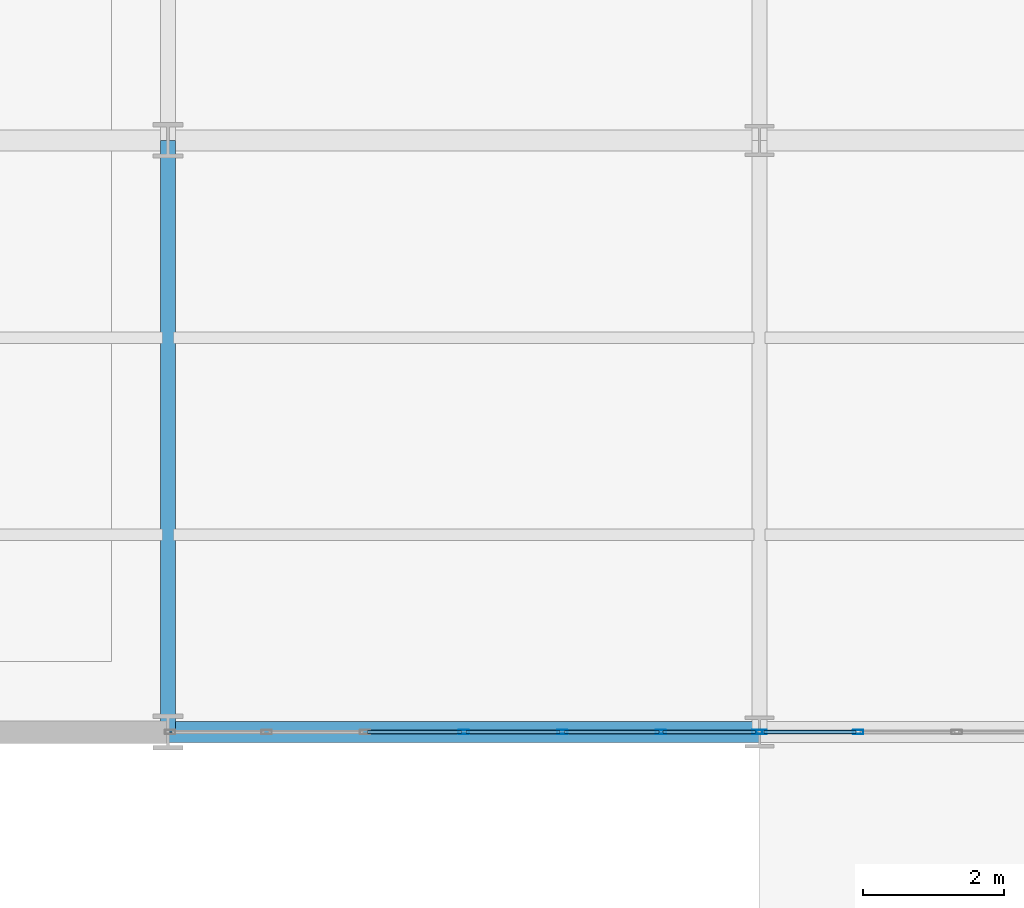
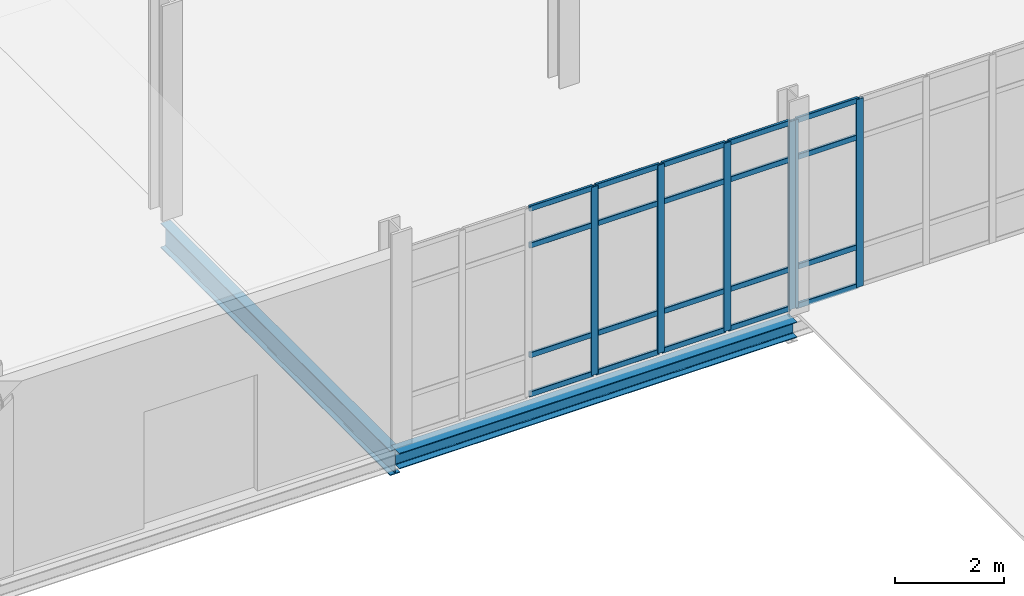
# One storey, part 79 of 145: 26 members, 2 beams, 2 elements without a shape of their own.
"""IFC4 building model written with IfcOpenShell, lengths in metres."""

from ifc_helpers import new_model, si_unit, direction, frame, origin, origin_2d, place, context, subcontext, project, spatial, hollow_rectangle, i_section, extrude, material, layer, layer_set, material_profile, profile_set, type_object, element, aggregate, save


model = new_model("IFC4")

# Units and contexts
model_context = context("Model", 3, precision=1e-05, world=origin(), true_north=direction((0.0, 1.0)))
body_context = subcontext(model_context, "Body", "Model", "MODEL_VIEW")
ifc_project = project(units=[si_unit("LENGTHUNIT", "METRE"), si_unit("AREAUNIT", "SQUARE_METRE"), si_unit("VOLUMEUNIT", "CUBIC_METRE"), si_unit("PLANEANGLEUNIT", "RADIAN"), si_unit("MASSUNIT", "GRAM", prefix="KILO")], contexts=[model_context])

# Site, building, storey
site_placement = place(None, origin())
site = spatial("IfcSite", under=ifc_project, at=site_placement, CompositionType="ELEMENT")
building_placement = place(site_placement, origin())
building = spatial("IfcBuilding", under=site, at=building_placement, Name="Qalvenar Corner Mobility Hub", CompositionType="ELEMENT")
storey_placement = place(building_placement, origin())
storey = spatial("IfcBuildingStorey", under=building, at=storey_placement, Name="L00", CompositionType="ELEMENT", Elevation=0.0)

# Beams
ifc_material_1 = material(Name="Steel S355", Category="steel")
ifc_material_profile_1 = material_profile(ifc_material_1, i_section(OverallWidth=0.2099609375, OverallDepth=0.550048828125, WebThickness=0.010986328125, FlangeThickness=0.01708984375, FilletRadius=0.02392578125, at=origin_2d()), Name="IPE550")
ifc_profile_set_1 = profile_set([ifc_material_profile_1], Name="Steel S355")
beam_type_1 = type_object("IfcBeamType", Name="BM-IPE550", PredefinedType="BEAM", material=ifc_profile_set_1)
beam_1_placement = place(storey_placement, frame((100.800048828125, 67.199951171875, -0.4951171875), z_axis=(0.0, 1.0, 0.0), x_axis=(-1.0, 0.0, 0.0)))
element("IfcBeam", 1, at=beam_1_placement, inside=storey, type_object=beam_type_1, Name="Primary Steel Girder GY-0617", PredefinedType="BEAM", context=body_context, shape_type="SweptSolid", body=[
    extrude(i_section(OverallWidth=0.2099609375, OverallDepth=0.550048828125, WebThickness=0.010986328125, FlangeThickness=0.01708984375, FilletRadius=0.02392578125, at=origin_2d()), origin(), (0.0, 0.0, 1.0), 8.400146484375),
])
ifc_material_profile_2 = material_profile(ifc_material_1, i_section(OverallWidth=0.300048828125, OverallDepth=0.35009765625, WebThickness=0.010009765625, FlangeThickness=0.017578125, FilletRadius=0.027099609375, at=origin_2d()), Name="HEA360")
ifc_profile_set_2 = profile_set([ifc_material_profile_2], Name="Steel S355")
beam_type_2 = type_object("IfcBeamType", Name="BM-SPN360", PredefinedType="SPANDREL", material=ifc_profile_set_2)
beam_2_placement = place(storey_placement, frame((100.800048828125, 67.199951171875, -0.39501953125), z_axis=(1.0, 0.0, 0.0), x_axis=(0.0, 1.0, 0.0)))
element("IfcBeam", 2, at=beam_2_placement, inside=storey, type_object=beam_type_2, Name="Primary Steel Girder GX-0527", PredefinedType="SPANDREL", context=body_context, shape_type="SweptSolid", body=[
    extrude(i_section(OverallWidth=0.300048828125, OverallDepth=0.35009765625, WebThickness=0.010009765625, FlangeThickness=0.017578125, FilletRadius=0.027099609375, at=origin_2d()), origin(), (0.0, 0.0, 1.0), 8.39990234375),
])

# Curtain wall, members
ifc_material_2 = material(Name="Anodised Aluminium and Low-E Glazing", Category="aluminium")
ifc_layer = layer(ifc_material_2, 0.14990234375)
ifc_layer_set = layer_set([ifc_layer], Name="Anodised Aluminium and Low-E Glazing")
curtain_wall_type = type_object("IfcCurtainWallType", Name="CW-MOB-84X46", PredefinedType="NOTDEFINED", material=ifc_layer_set)
curtain_wall_1_placement = place(storey_placement, origin())
curtain_wall_1 = element("IfcCurtainWall", 3, at=curtain_wall_1_placement, inside=storey, type_object=curtain_wall_type, Name="Glazed Curtain Wall CW-V4-L00-S5", PredefinedType="NOTDEFINED")
ifc_material_3 = material(Name="Anodised Aluminium 6063-T6", Category="aluminium")
ifc_material_profile_3 = material_profile(ifc_material_3, hollow_rectangle(XDim=0.06005859375, YDim=0.14990234375, WallThickness=0.00390625, InnerFilletRadius=0.00390625, OuterFilletRadius=0.008056640625, at=origin_2d()), Name="RHS150x60x4")
ifc_profile_set_3 = profile_set([ifc_material_profile_3], Name="Anodised Aluminium 6063-T6")
member_type_1 = type_object("IfcMemberType", Name="CW-MUL150", PredefinedType="MULLION", material=ifc_profile_set_3)
member_1_placement = place(storey_placement, frame((105.0, 67.199951171875, 0.0), z_axis=(0.0, 0.0, 1.0), x_axis=(0.0, 1.0, 0.0)))
member_1 = element("IfcMember", 4, at=member_1_placement, type_object=member_type_1, Name="CW-03 mullion 4", PredefinedType="MULLION", context=body_context, shape_type="SweptSolid", body=[
    extrude(hollow_rectangle(XDim=0.06005859375, YDim=0.14990234375, WallThickness=0.00390625, InnerFilletRadius=0.00390625, OuterFilletRadius=0.008056640625, at=origin_2d()), origin(), (0.0, 0.0, 1.0), 4.199951171875),
])
member_2_placement = place(storey_placement, frame((106.39990234375, 67.199951171875, 0.0), z_axis=(0.0, 0.0, 1.0), x_axis=(0.0, 1.0, 0.0)))
member_2 = element("IfcMember", 5, at=member_2_placement, type_object=member_type_1, Name="CW-03 mullion 5", PredefinedType="MULLION", context=body_context, shape_type="SweptSolid", body=[
    extrude(hollow_rectangle(XDim=0.06005859375, YDim=0.14990234375, WallThickness=0.00390625, InnerFilletRadius=0.00390625, OuterFilletRadius=0.008056640625, at=origin_2d()), origin(), (0.0, 0.0, 1.0), 4.199951171875),
])
member_3_placement = place(storey_placement, frame((107.800048828125, 67.199951171875, 0.0), z_axis=(0.0, 0.0, 1.0), x_axis=(0.0, 1.0, 0.0)))
member_3 = element("IfcMember", 6, at=member_3_placement, type_object=member_type_1, Name="CW-03 mullion 6", PredefinedType="MULLION", context=body_context, shape_type="SweptSolid", body=[
    extrude(hollow_rectangle(XDim=0.06005859375, YDim=0.14990234375, WallThickness=0.00390625, InnerFilletRadius=0.00390625, OuterFilletRadius=0.008056640625, at=origin_2d()), origin(), (0.0, 0.0, 1.0), 4.199951171875),
])
member_4_placement = place(storey_placement, frame((109.169921875, 67.199951171875, 0.0), z_axis=(0.0, 0.0, 1.0), x_axis=(0.0, 1.0, 0.0)))
member_4 = element("IfcMember", 7, at=member_4_placement, type_object=member_type_1, Name="CW-03 mullion 7", PredefinedType="MULLION", context=body_context, shape_type="SweptSolid", body=[
    extrude(hollow_rectangle(XDim=0.06005859375, YDim=0.14990234375, WallThickness=0.00390625, InnerFilletRadius=0.00390625, OuterFilletRadius=0.008056640625, at=origin_2d()), origin(), (0.0, 0.0, 1.0), 4.199951171875),
])

curtain_wall_2_placement = place(storey_placement, origin())
curtain_wall_2 = element("IfcCurtainWall", 8, at=curtain_wall_2_placement, inside=storey, type_object=curtain_wall_type, Name="Glazed Curtain Wall CW-V4-L00-S6", PredefinedType="NOTDEFINED")
member_5_placement = place(storey_placement, frame((109.22998046875, 67.199951171875, 0.0), z_axis=(0.0, 0.0, 1.0), x_axis=(0.0, 1.0, 0.0)))
member_5 = element("IfcMember", 9, at=member_5_placement, type_object=member_type_1, Name="CW-03 mullion 1", PredefinedType="MULLION", context=body_context, shape_type="SweptSolid", body=[
    extrude(hollow_rectangle(XDim=0.06005859375, YDim=0.14990234375, WallThickness=0.00390625, InnerFilletRadius=0.00390625, OuterFilletRadius=0.008056640625, at=origin_2d()), origin(), (0.0, 0.0, 1.0), 4.199951171875),
])
member_6_placement = place(storey_placement, frame((110.60009765625, 67.199951171875, 0.0), z_axis=(0.0, 0.0, 1.0), x_axis=(0.0, 1.0, 0.0)))
member_6 = element("IfcMember", 10, at=member_6_placement, type_object=member_type_1, Name="CW-03 mullion 2", PredefinedType="MULLION", context=body_context, shape_type="SweptSolid", body=[
    extrude(hollow_rectangle(XDim=0.06005859375, YDim=0.14990234375, WallThickness=0.00390625, InnerFilletRadius=0.00390625, OuterFilletRadius=0.008056640625, at=origin_2d()), origin(), (0.0, 0.0, 1.0), 4.199951171875),
])

# Member
ifc_material_profile_4 = material_profile(ifc_material_3, hollow_rectangle(XDim=0.054931640625, YDim=0.1201171875, WallThickness=0.00341796875, InnerFilletRadius=0.00341796875, OuterFilletRadius=0.007080078125, at=origin_2d()), Name="RHS120x55x3.5")
ifc_profile_set_4 = profile_set([ifc_material_profile_4], Name="Anodised Aluminium 6063-T6")
member_type_2 = type_object("IfcMemberType", Name="CW-TRN120", PredefinedType="USERDEFINED", material=ifc_profile_set_4)
member_7_placement = place(storey_placement, frame((103.6298828125, 67.199951171875, 0.027587890625), z_axis=(1.0, 0.0, 0.0), x_axis=(0.0, 1.0, 0.0)))
member_7 = element("IfcMember", 11, at=member_7_placement, type_object=member_type_2, Name="CW-03 transom 3.1", ObjectType="TRANSOM", PredefinedType="USERDEFINED", context=body_context, shape_type="SweptSolid", body=[
    extrude(hollow_rectangle(XDim=0.054931640625, YDim=0.1201171875, WallThickness=0.00341796875, InnerFilletRadius=0.00341796875, OuterFilletRadius=0.007080078125, at=origin_2d()), origin(), (0.0, 0.0, 1.0), 1.340087890625),
])

member_8_placement = place(storey_placement, frame((103.6298828125, 67.199951171875, 0.89990234375), z_axis=(1.0, 0.0, 0.0), x_axis=(0.0, 1.0, 0.0)))
member_8 = element("IfcMember", 12, at=member_8_placement, type_object=member_type_2, Name="CW-03 transom 3.2", ObjectType="TRANSOM", PredefinedType="USERDEFINED", context=body_context, shape_type="SweptSolid", body=[
    extrude(hollow_rectangle(XDim=0.054931640625, YDim=0.1201171875, WallThickness=0.00341796875, InnerFilletRadius=0.00341796875, OuterFilletRadius=0.007080078125, at=origin_2d()), origin(), (0.0, 0.0, 1.0), 1.340087890625),
])

member_9_placement = place(storey_placement, frame((103.6298828125, 67.199951171875, 3.35009765625), z_axis=(1.0, 0.0, 0.0), x_axis=(0.0, 1.0, 0.0)))
member_9 = element("IfcMember", 13, at=member_9_placement, type_object=member_type_2, Name="CW-03 transom 3.3", ObjectType="TRANSOM", PredefinedType="USERDEFINED", context=body_context, shape_type="SweptSolid", body=[
    extrude(hollow_rectangle(XDim=0.054931640625, YDim=0.1201171875, WallThickness=0.00341796875, InnerFilletRadius=0.00341796875, OuterFilletRadius=0.007080078125, at=origin_2d()), origin(), (0.0, 0.0, 1.0), 1.340087890625),
])

member_10_placement = place(storey_placement, frame((103.6298828125, 67.199951171875, 4.172607421875), z_axis=(1.0, 0.0, 0.0), x_axis=(0.0, 1.0, 0.0)))
member_10 = element("IfcMember", 14, at=member_10_placement, type_object=member_type_2, Name="CW-03 transom 3.4", ObjectType="TRANSOM", PredefinedType="USERDEFINED", context=body_context, shape_type="SweptSolid", body=[
    extrude(hollow_rectangle(XDim=0.054931640625, YDim=0.1201171875, WallThickness=0.00341796875, InnerFilletRadius=0.00341796875, OuterFilletRadius=0.007080078125, at=origin_2d()), origin(), (0.0, 0.0, 1.0), 1.340087890625),
])

member_11_placement = place(storey_placement, frame((105.030029296875, 67.199951171875, 0.027587890625), z_axis=(1.0, 0.0, 0.0), x_axis=(0.0, 1.0, 0.0)))
member_11 = element("IfcMember", 15, at=member_11_placement, type_object=member_type_2, Name="CW-03 transom 4.1", ObjectType="TRANSOM", PredefinedType="USERDEFINED", context=body_context, shape_type="SweptSolid", body=[
    extrude(hollow_rectangle(XDim=0.054931640625, YDim=0.1201171875, WallThickness=0.00341796875, InnerFilletRadius=0.00341796875, OuterFilletRadius=0.007080078125, at=origin_2d()), origin(), (0.0, 0.0, 1.0), 1.340087890625),
])

member_12_placement = place(storey_placement, frame((105.030029296875, 67.199951171875, 0.89990234375), z_axis=(1.0, 0.0, 0.0), x_axis=(0.0, 1.0, 0.0)))
member_12 = element("IfcMember", 16, at=member_12_placement, type_object=member_type_2, Name="CW-03 transom 4.2", ObjectType="TRANSOM", PredefinedType="USERDEFINED", context=body_context, shape_type="SweptSolid", body=[
    extrude(hollow_rectangle(XDim=0.054931640625, YDim=0.1201171875, WallThickness=0.00341796875, InnerFilletRadius=0.00341796875, OuterFilletRadius=0.007080078125, at=origin_2d()), origin(), (0.0, 0.0, 1.0), 1.340087890625),
])

member_13_placement = place(storey_placement, frame((105.030029296875, 67.199951171875, 3.35009765625), z_axis=(1.0, 0.0, 0.0), x_axis=(0.0, 1.0, 0.0)))
member_13 = element("IfcMember", 17, at=member_13_placement, type_object=member_type_2, Name="CW-03 transom 4.3", ObjectType="TRANSOM", PredefinedType="USERDEFINED", context=body_context, shape_type="SweptSolid", body=[
    extrude(hollow_rectangle(XDim=0.054931640625, YDim=0.1201171875, WallThickness=0.00341796875, InnerFilletRadius=0.00341796875, OuterFilletRadius=0.007080078125, at=origin_2d()), origin(), (0.0, 0.0, 1.0), 1.340087890625),
])

member_14_placement = place(storey_placement, frame((105.030029296875, 67.199951171875, 4.172607421875), z_axis=(1.0, 0.0, 0.0), x_axis=(0.0, 1.0, 0.0)))
member_14 = element("IfcMember", 18, at=member_14_placement, type_object=member_type_2, Name="CW-03 transom 4.4", ObjectType="TRANSOM", PredefinedType="USERDEFINED", context=body_context, shape_type="SweptSolid", body=[
    extrude(hollow_rectangle(XDim=0.054931640625, YDim=0.1201171875, WallThickness=0.00341796875, InnerFilletRadius=0.00341796875, OuterFilletRadius=0.007080078125, at=origin_2d()), origin(), (0.0, 0.0, 1.0), 1.340087890625),
])

member_15_placement = place(storey_placement, frame((106.429931640625, 67.199951171875, 0.027587890625), z_axis=(1.0, 0.0, 0.0), x_axis=(0.0, 1.0, 0.0)))
member_15 = element("IfcMember", 19, at=member_15_placement, type_object=member_type_2, Name="CW-03 transom 5.1", ObjectType="TRANSOM", PredefinedType="USERDEFINED", context=body_context, shape_type="SweptSolid", body=[
    extrude(hollow_rectangle(XDim=0.054931640625, YDim=0.1201171875, WallThickness=0.00341796875, InnerFilletRadius=0.00341796875, OuterFilletRadius=0.007080078125, at=origin_2d()), origin(), (0.0, 0.0, 1.0), 1.340087890625),
])

member_16_placement = place(storey_placement, frame((106.429931640625, 67.199951171875, 0.89990234375), z_axis=(1.0, 0.0, 0.0), x_axis=(0.0, 1.0, 0.0)))
member_16 = element("IfcMember", 20, at=member_16_placement, type_object=member_type_2, Name="CW-03 transom 5.2", ObjectType="TRANSOM", PredefinedType="USERDEFINED", context=body_context, shape_type="SweptSolid", body=[
    extrude(hollow_rectangle(XDim=0.054931640625, YDim=0.1201171875, WallThickness=0.00341796875, InnerFilletRadius=0.00341796875, OuterFilletRadius=0.007080078125, at=origin_2d()), origin(), (0.0, 0.0, 1.0), 1.340087890625),
])

member_17_placement = place(storey_placement, frame((106.429931640625, 67.199951171875, 3.35009765625), z_axis=(1.0, 0.0, 0.0), x_axis=(0.0, 1.0, 0.0)))
member_17 = element("IfcMember", 21, at=member_17_placement, type_object=member_type_2, Name="CW-03 transom 5.3", ObjectType="TRANSOM", PredefinedType="USERDEFINED", context=body_context, shape_type="SweptSolid", body=[
    extrude(hollow_rectangle(XDim=0.054931640625, YDim=0.1201171875, WallThickness=0.00341796875, InnerFilletRadius=0.00341796875, OuterFilletRadius=0.007080078125, at=origin_2d()), origin(), (0.0, 0.0, 1.0), 1.340087890625),
])

member_18_placement = place(storey_placement, frame((106.429931640625, 67.199951171875, 4.172607421875), z_axis=(1.0, 0.0, 0.0), x_axis=(0.0, 1.0, 0.0)))
member_18 = element("IfcMember", 22, at=member_18_placement, type_object=member_type_2, Name="CW-03 transom 5.4", ObjectType="TRANSOM", PredefinedType="USERDEFINED", context=body_context, shape_type="SweptSolid", body=[
    extrude(hollow_rectangle(XDim=0.054931640625, YDim=0.1201171875, WallThickness=0.00341796875, InnerFilletRadius=0.00341796875, OuterFilletRadius=0.007080078125, at=origin_2d()), origin(), (0.0, 0.0, 1.0), 1.340087890625),
])

member_19_placement = place(storey_placement, frame((107.830078125, 67.199951171875, 0.027587890625), z_axis=(1.0, 0.0, 0.0), x_axis=(0.0, 1.0, 0.0)))
member_19 = element("IfcMember", 23, at=member_19_placement, type_object=member_type_2, Name="CW-03 transom 6.1", ObjectType="TRANSOM", PredefinedType="USERDEFINED", context=body_context, shape_type="SweptSolid", body=[
    extrude(hollow_rectangle(XDim=0.054931640625, YDim=0.1201171875, WallThickness=0.00341796875, InnerFilletRadius=0.00341796875, OuterFilletRadius=0.007080078125, at=origin_2d()), origin(), (0.0, 0.0, 1.0), 1.309814453125),
])

member_20_placement = place(storey_placement, frame((107.830078125, 67.199951171875, 0.89990234375), z_axis=(1.0, 0.0, 0.0), x_axis=(0.0, 1.0, 0.0)))
member_20 = element("IfcMember", 24, at=member_20_placement, type_object=member_type_2, Name="CW-03 transom 6.2", ObjectType="TRANSOM", PredefinedType="USERDEFINED", context=body_context, shape_type="SweptSolid", body=[
    extrude(hollow_rectangle(XDim=0.054931640625, YDim=0.1201171875, WallThickness=0.00341796875, InnerFilletRadius=0.00341796875, OuterFilletRadius=0.007080078125, at=origin_2d()), origin(), (0.0, 0.0, 1.0), 1.309814453125),
])

member_21_placement = place(storey_placement, frame((107.830078125, 67.199951171875, 3.35009765625), z_axis=(1.0, 0.0, 0.0), x_axis=(0.0, 1.0, 0.0)))
member_21 = element("IfcMember", 25, at=member_21_placement, type_object=member_type_2, Name="CW-03 transom 6.3", ObjectType="TRANSOM", PredefinedType="USERDEFINED", context=body_context, shape_type="SweptSolid", body=[
    extrude(hollow_rectangle(XDim=0.054931640625, YDim=0.1201171875, WallThickness=0.00341796875, InnerFilletRadius=0.00341796875, OuterFilletRadius=0.007080078125, at=origin_2d()), origin(), (0.0, 0.0, 1.0), 1.309814453125),
])

member_22_placement = place(storey_placement, frame((107.830078125, 67.199951171875, 4.172607421875), z_axis=(1.0, 0.0, 0.0), x_axis=(0.0, 1.0, 0.0)))
member_22 = element("IfcMember", 26, at=member_22_placement, type_object=member_type_2, Name="CW-03 transom 6.4", ObjectType="TRANSOM", PredefinedType="USERDEFINED", context=body_context, shape_type="SweptSolid", body=[
    extrude(hollow_rectangle(XDim=0.054931640625, YDim=0.1201171875, WallThickness=0.00341796875, InnerFilletRadius=0.00341796875, OuterFilletRadius=0.007080078125, at=origin_2d()), origin(), (0.0, 0.0, 1.0), 1.309814453125),
])

aggregate(curtain_wall_1, [member_1, member_2, member_3, member_4, member_7, member_8, member_9, member_10, member_11, member_12, member_13, member_14, member_15, member_16, member_17, member_18, member_19, member_20, member_21, member_22])

member_23_placement = place(storey_placement, frame((109.260009765625, 67.199951171875, 0.027587890625), z_axis=(1.0, 0.0, 0.0), x_axis=(0.0, 1.0, 0.0)))
member_23 = element("IfcMember", 27, at=member_23_placement, type_object=member_type_2, Name="CW-03 transom 1.1", ObjectType="TRANSOM", PredefinedType="USERDEFINED", context=body_context, shape_type="SweptSolid", body=[
    extrude(hollow_rectangle(XDim=0.054931640625, YDim=0.1201171875, WallThickness=0.00341796875, InnerFilletRadius=0.00341796875, OuterFilletRadius=0.007080078125, at=origin_2d()), origin(), (0.0, 0.0, 1.0), 1.31005859375),
])

member_24_placement = place(storey_placement, frame((109.260009765625, 67.199951171875, 0.89990234375), z_axis=(1.0, 0.0, 0.0), x_axis=(0.0, 1.0, 0.0)))
member_24 = element("IfcMember", 28, at=member_24_placement, type_object=member_type_2, Name="CW-03 transom 1.2", ObjectType="TRANSOM", PredefinedType="USERDEFINED", context=body_context, shape_type="SweptSolid", body=[
    extrude(hollow_rectangle(XDim=0.054931640625, YDim=0.1201171875, WallThickness=0.00341796875, InnerFilletRadius=0.00341796875, OuterFilletRadius=0.007080078125, at=origin_2d()), origin(), (0.0, 0.0, 1.0), 1.31005859375),
])

member_25_placement = place(storey_placement, frame((109.260009765625, 67.199951171875, 3.35009765625), z_axis=(1.0, 0.0, 0.0), x_axis=(0.0, 1.0, 0.0)))
member_25 = element("IfcMember", 29, at=member_25_placement, type_object=member_type_2, Name="CW-03 transom 1.3", ObjectType="TRANSOM", PredefinedType="USERDEFINED", context=body_context, shape_type="SweptSolid", body=[
    extrude(hollow_rectangle(XDim=0.054931640625, YDim=0.1201171875, WallThickness=0.00341796875, InnerFilletRadius=0.00341796875, OuterFilletRadius=0.007080078125, at=origin_2d()), origin(), (0.0, 0.0, 1.0), 1.31005859375),
])

member_26_placement = place(storey_placement, frame((109.260009765625, 67.199951171875, 4.172607421875), z_axis=(1.0, 0.0, 0.0), x_axis=(0.0, 1.0, 0.0)))
member_26 = element("IfcMember", 30, at=member_26_placement, type_object=member_type_2, Name="CW-03 transom 1.4", ObjectType="TRANSOM", PredefinedType="USERDEFINED", context=body_context, shape_type="SweptSolid", body=[
    extrude(hollow_rectangle(XDim=0.054931640625, YDim=0.1201171875, WallThickness=0.00341796875, InnerFilletRadius=0.00341796875, OuterFilletRadius=0.007080078125, at=origin_2d()), origin(), (0.0, 0.0, 1.0), 1.31005859375),
])

aggregate(curtain_wall_2, [member_5, member_6, member_23, member_24, member_25, member_26])

save(model, "model.ifc")
